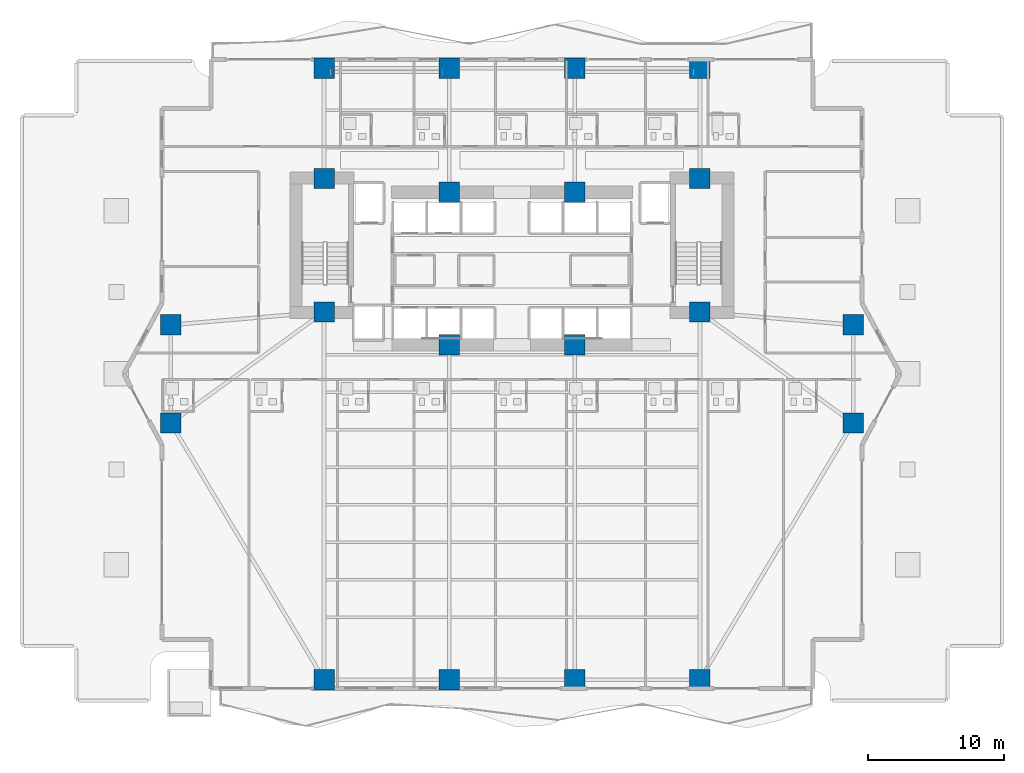
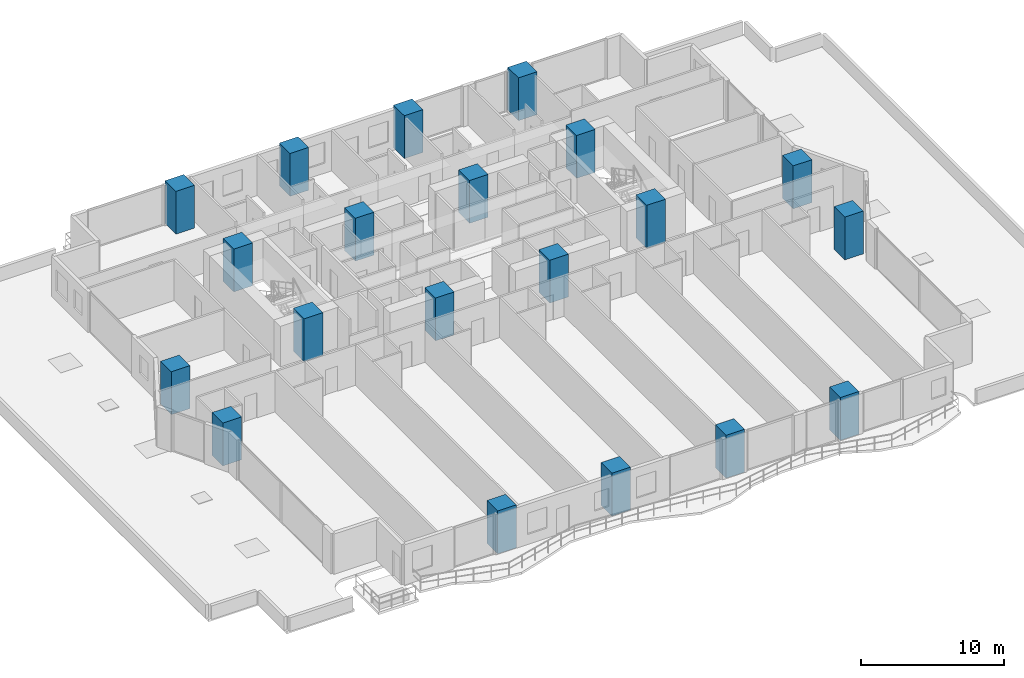
# One storey, part 1 of 30: 20 columns.
"""IFC4 building model written with IfcOpenShell, lengths in metres."""

from ifc_helpers import new_model, si_unit, direction, frame, origin, origin_2d, place, context, subcontext, project, spatial, rectangle, extrude, material, material_profile, profile_set, type_object, element, save


model = new_model("IFC4")

# Units and contexts
model_context = context("Model", 3, precision=1e-05, world=origin(), true_north=direction((0.0, 1.0)))
body_context = subcontext(model_context, "Body", "Model", "MODEL_VIEW")
ifc_project = project(units=[si_unit("LENGTHUNIT", "METRE"), si_unit("AREAUNIT", "SQUARE_METRE"), si_unit("VOLUMEUNIT", "CUBIC_METRE"), si_unit("PLANEANGLEUNIT", "RADIAN"), si_unit("MASSUNIT", "GRAM", prefix="KILO")], contexts=[model_context])

# Site, building, storey
site_placement = place(None, origin())
site = spatial("IfcSite", under=ifc_project, at=site_placement, CompositionType="ELEMENT")
building_placement = place(site_placement, origin())
building = spatial("IfcBuilding", under=site, at=building_placement, Name="Zuhayl Quay Hotel", CompositionType="ELEMENT")
storey_placement = place(building_placement, frame((0.0, 0.0, 27.60009765625)))
storey = spatial("IfcBuildingStorey", under=building, at=storey_placement, Name="L05", CompositionType="ELEMENT", Elevation=27.60009765625)

# Columns
ifc_material = material(Name="Concrete C70/85", Category="concrete")
ifc_material_profile_1 = material_profile(ifc_material, rectangle(XDim=1.5, YDim=1.5, at=origin_2d()), Name="RC1500X1500")
ifc_profile_set_1 = profile_set([ifc_material_profile_1], Name="Concrete C70/85")
column_type_1 = type_object("IfcColumnType", Name="CL_CC1_1500", PredefinedType="COLUMN", material=ifc_profile_set_1)
for number, where, z_axis, x_axis, name in (
    (1, (-13.800048828125, 14.35009765625, 0.0), (0.0, 0.0, 1.0), (1.0, 0.0, 0.0), "L05 Core Column CC_NW"),
    (2, (-4.60009765625, 13.35009765625, 0.0), (0.0, 0.0, 1.0), (1.0, 0.0, 0.0), "L05 Core Column CC_CNW"),
    (3, (4.60009765625, 13.35009765625, 0.0), (0.0, 0.0, 1.0), (1.0, 0.0, 0.0), "L05 Core Column CC_CNE"),
    (4, (13.800048828125, 14.35009765625, 0.0), (0.0, 0.0, 1.0), (1.0, 0.0, 0.0), "L05 Core Column CC_NE"),
    (5, (-13.800048828125, 4.550048828125, 0.0), (0.0, 0.0, 1.0), (1.0, 0.0, 0.0), "L05 Core Column CC_SW"),
    (6, (-4.60009765625, 2.14990234375, 0.0), (0.0, 0.0, 1.0), (1.0, 0.0, 0.0), "L05 Core Column CC_CSW"),
    (7, (4.60009765625, 2.14990234375, 0.0), (0.0, 0.0, 1.0), (1.0, 0.0, 0.0), "L05 Core Column CC_CSE"),
    (8, (13.800048828125, 4.550048828125, 0.0), (0.0, 0.0, 1.0), (1.0, 0.0, 0.0), "L05 Core Column CC_SE"),
):
    element("IfcColumn", number, at=place(storey_placement, frame(where, z_axis=z_axis, x_axis=x_axis)), inside=storey, type_object=column_type_1, Name=name, PredefinedType="COLUMN", context=body_context, shape_type="SweptSolid", body=[
        extrude(rectangle(XDim=1.5, YDim=1.5, at=origin_2d()), origin(), (0.0, 0.0, 1.0), 3.64990234375),
    ])
ifc_material_profile_2 = material_profile(ifc_material, rectangle(XDim=1.5, YDim=1.5, at=origin_2d()), Name="RC1500X1500")
ifc_profile_set_2 = profile_set([ifc_material_profile_2], Name="Concrete C70/85")
column_type_2 = type_object("IfcColumnType", Name="CL_MC1_1500", PredefinedType="COLUMN", material=ifc_profile_set_2)
for number, where, z_axis, x_axis, name in (
    (9, (-13.800048828125, -22.449951171875, 0.0), (0.0, 0.0, 1.0), (1.0, 0.0, 0.0), "L05 Mega-Column MC_S1"),
    (10, (-4.60009765625, -22.449951171875, 0.0), (0.0, 0.0, 1.0), (1.0, 0.0, 0.0), "L05 Mega-Column MC_S2"),
    (11, (4.60009765625, -22.449951171875, 0.0), (0.0, 0.0, 1.0), (1.0, 0.0, 0.0), "L05 Mega-Column MC_S3"),
    (12, (13.800048828125, -22.449951171875, 0.0), (0.0, 0.0, 1.0), (1.0, 0.0, 0.0), "L05 Mega-Column MC_S4"),
    (13, (-13.800048828125, 22.449951171875, 0.0), (0.0, 0.0, 1.0), (1.0, 0.0, 0.0), "L05 Mega-Column MC_N1"),
    (14, (-4.60009765625, 22.449951171875, 0.0), (0.0, 0.0, 1.0), (1.0, 0.0, 0.0), "L05 Mega-Column MC_N2"),
    (15, (4.60009765625, 22.449951171875, 0.0), (0.0, 0.0, 1.0), (1.0, 0.0, 0.0), "L05 Mega-Column MC_N3"),
    (16, (13.800048828125, 22.449951171875, 0.0), (0.0, 0.0, 1.0), (1.0, 0.0, 0.0), "L05 Mega-Column MC_N4"),
    (17, (-25.050048828125, -3.60009765625, 0.0), (0.0, 0.0, 1.0), (1.0, 0.0, 0.0), "L05 Mega-Column MC_W1"),
    (18, (-25.050048828125, 3.60009765625, 0.0), (0.0, 0.0, 1.0), (1.0, 0.0, 0.0), "L05 Mega-Column MC_W2"),
    (19, (25.050048828125, -3.60009765625, 0.0), (0.0, 0.0, 1.0), (1.0, 0.0, 0.0), "L05 Mega-Column MC_E1"),
    (20, (25.050048828125, 3.60009765625, 0.0), (0.0, 0.0, 1.0), (1.0, 0.0, 0.0), "L05 Mega-Column MC_E2"),
):
    element("IfcColumn", number, at=place(storey_placement, frame(where, z_axis=z_axis, x_axis=x_axis)), inside=storey, type_object=column_type_2, Name=name, PredefinedType="COLUMN", context=body_context, shape_type="SweptSolid", body=[
        extrude(rectangle(XDim=1.5, YDim=1.5, at=origin_2d()), origin(), (0.0, 0.0, 1.0), 3.64990234375),
    ])

save(model, "model.ifc")
